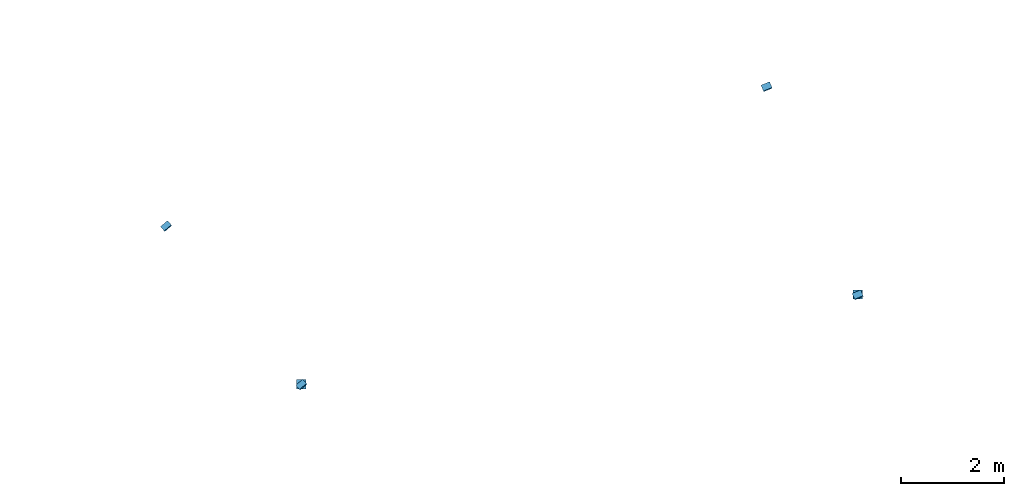
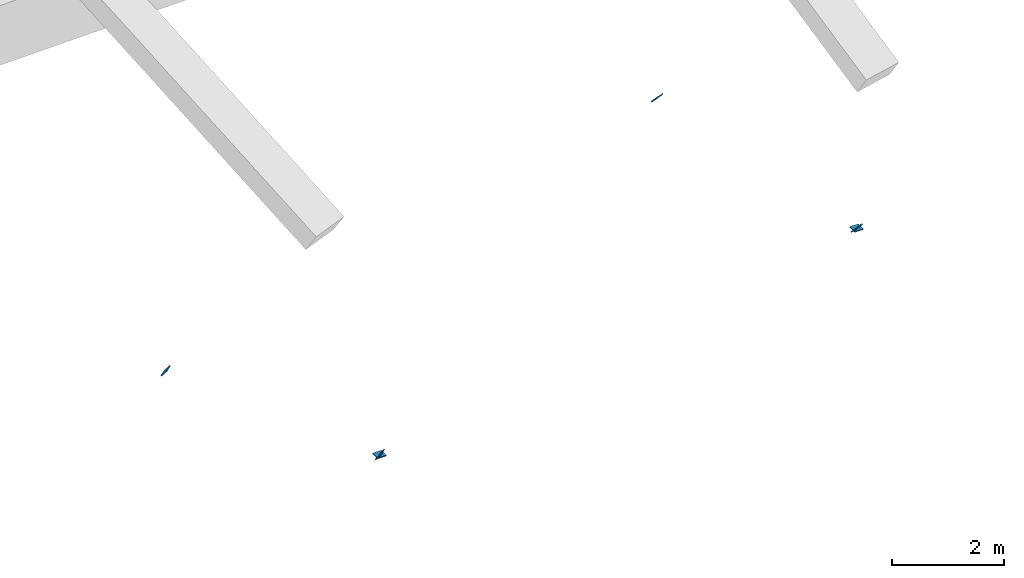
# One storey, part 105 of 173: 6 discrete accessories.
"""IFC4 building model written with IfcOpenShell, lengths in metres."""

from ifc_helpers import new_model, si_unit, direction, frame, origin, origin_2d, place, context, subcontext, project, spatial, rectangle, extrude, material, material_profile, profile_set, type_object, element, save


model = new_model("IFC4")

# Units and contexts
model_context = context("Model", 3, precision=1e-05, world=origin(), true_north=direction((0.0, 1.0)))
body_context = subcontext(model_context, "Body", "Model", "MODEL_VIEW")
ifc_project = project(units=[si_unit("LENGTHUNIT", "METRE"), si_unit("AREAUNIT", "SQUARE_METRE"), si_unit("VOLUMEUNIT", "CUBIC_METRE"), si_unit("PLANEANGLEUNIT", "RADIAN"), si_unit("MASSUNIT", "GRAM", prefix="KILO")], contexts=[model_context])

# Site, building, storey
site_placement = place(None, origin())
site = spatial("IfcSite", under=ifc_project, at=site_placement, CompositionType="ELEMENT")
building_placement = place(site_placement, origin())
building = spatial("IfcBuilding", under=site, at=building_placement, Name="Meseta Stadium", CompositionType="ELEMENT")
storey_placement = place(building_placement, frame((0.0, 0.0, 18.0)))
storey = spatial("IfcBuildingStorey", under=building, at=storey_placement, Name="L03", CompositionType="ELEMENT", Elevation=18.0)

# Discrete accessories
ifc_material = material(Name="Steel S355", Category="steel")
ifc_material_profile = material_profile(ifc_material, rectangle(XDim=0.179931640625, YDim=0.179931640625, at=origin_2d()), Name="PL 180x180")
ifc_profile_set = profile_set([ifc_material_profile], Name="Steel S355")
discrete_accessory_type = type_object("IfcDiscreteAccessoryType", Name="End plate 180x180x20", PredefinedType="ANCHORPLATE", material=ifc_profile_set)
discrete_accessory_1_placement = place(storey_placement, frame((-23.879638671875, 65.576904296875, 4.32470703125), z_axis=(0.0, 0.0, 1.0), x_axis=(1.0, 0.0, 0.0)))
element("IfcDiscreteAccessory", 1, at=discrete_accessory_1_placement, inside=storey, type_object=discrete_accessory_type, Name="End plate of ROOF TRUSS RT-21 post", PredefinedType="ANCHORPLATE", context=body_context, shape_type="SweptSolid", body=[
    extrude(rectangle(XDim=0.179931640625, YDim=0.179931640625, at=origin_2d()), origin(), (0.0, 0.0, 1.0), 0.02001953125),
])
discrete_accessory_2_placement = place(storey_placement, frame((-23.8740234375, 65.563720703125, 4.3310546875), z_axis=(-0.28351881865, 0.66565287857, 0.690306688887), x_axis=(-0.92002397899, -0.391862065125, 0.0)))
element("IfcDiscreteAccessory", 2, at=discrete_accessory_2_placement, inside=storey, type_object=discrete_accessory_type, Name="End plate of ROOF TRUSS RT-21 diagonal", PredefinedType="ANCHORPLATE", context=body_context, shape_type="SweptSolid", body=[
    extrude(rectangle(XDim=0.179931640625, YDim=0.179931640625, at=origin_2d()), origin(), (0.0, 0.0, 1.0), 0.019775390625),
])
for number, where, z_axis, x_axis, name in (
    (3, (-25.649169921875, 69.619384765625, 5.329833984375), (-0.281199650866, 0.672433947723, 0.6846600195), (-0.922579877145, -0.385806130442, 0.0), "End plate of ROOF TRUSS RT-21 diagonal"),
    (4, (-34.722412109375, 63.827392578125, 4.246337890625), (0.0, 0.0, 1.0), (1.0, 0.0, 0.0), "End plate of ROOF TRUSS RT-23 post"),
    (5, (-34.712158203125, 63.8154296875, 4.254150390625), (-0.514457157149, 0.600200016674, 0.612448996606), (-0.759256602365, -0.650791373456, 0.0), "End plate of ROOF TRUSS RT-23 diagonal"),
    (6, (-37.3466796875, 66.90478515625, 5.12646484375), (-0.510602919511, 0.595703406096, 0.620017830835), (-0.759256602365, -0.650791373456, 0.0), "End plate of ROOF TRUSS RT-23 diagonal"),
):
    element("IfcDiscreteAccessory", number, at=place(storey_placement, frame(where, z_axis=z_axis, x_axis=x_axis)), inside=storey, type_object=discrete_accessory_type, Name=name, PredefinedType="ANCHORPLATE", context=body_context, shape_type="SweptSolid", body=[
        extrude(rectangle(XDim=0.179931640625, YDim=0.179931640625, at=origin_2d()), origin(), (0.0, 0.0, 1.0), 0.02001953125),
    ])

save(model, "model.ifc")
